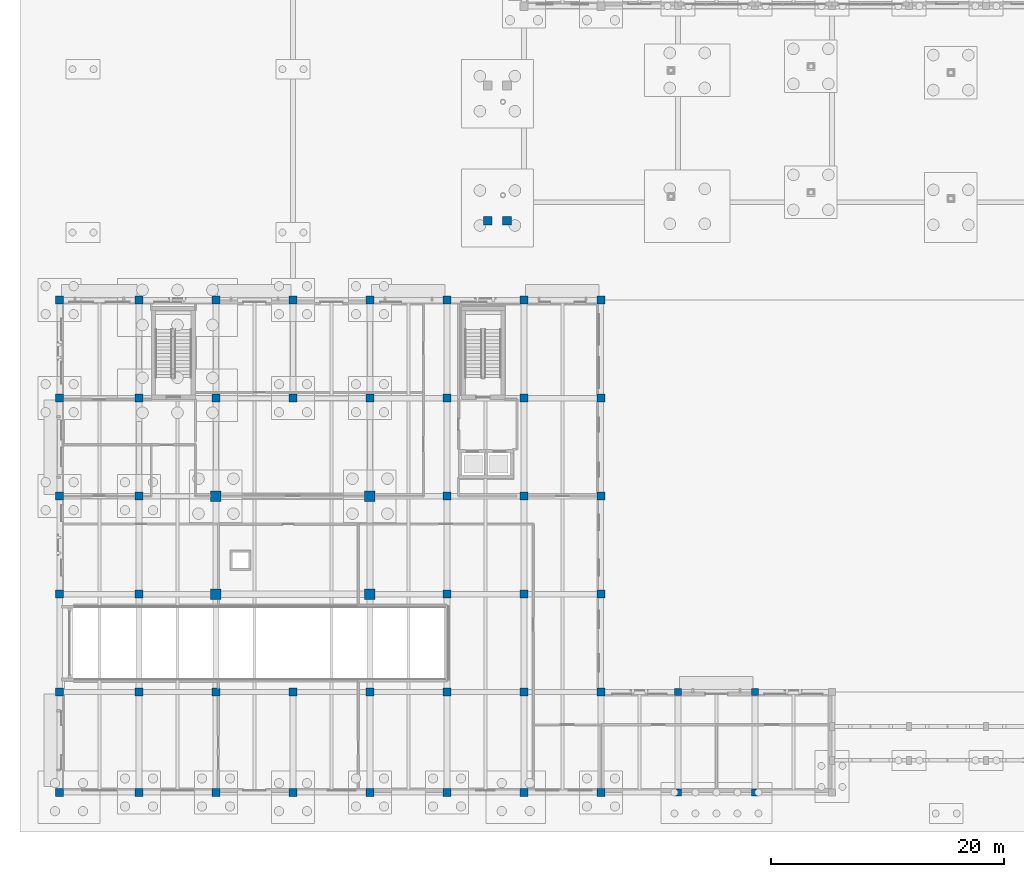
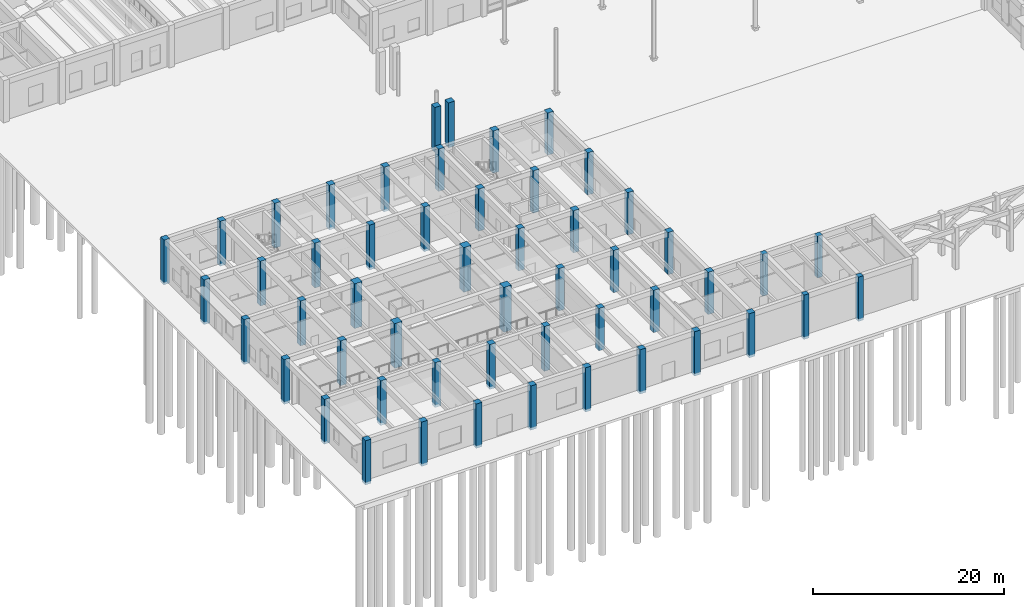
# One storey, part 10 of 82: 52 columns.
"""IFC4 building model written with IfcOpenShell, lengths in metres."""

from ifc_helpers import new_model, si_unit, direction, frame, origin, origin_2d, place, context, subcontext, project, spatial, rectangle, extrude, material, material_profile, profile_set, type_object, element, save


model = new_model("IFC4")

# Units and contexts
model_context = context("Model", 3, precision=1e-05, world=origin(), true_north=direction((0.0, 1.0)))
body_context = subcontext(model_context, "Body", "Model", "MODEL_VIEW")
ifc_project = project(units=[si_unit("LENGTHUNIT", "METRE"), si_unit("AREAUNIT", "SQUARE_METRE"), si_unit("VOLUMEUNIT", "CUBIC_METRE"), si_unit("PLANEANGLEUNIT", "RADIAN"), si_unit("MASSUNIT", "GRAM", prefix="KILO")], contexts=[model_context])

# Site, building, storey
site_placement = place(None, origin())
site = spatial("IfcSite", under=ifc_project, at=site_placement, CompositionType="ELEMENT")
building_placement = place(site_placement, origin())
building = spatial("IfcBuilding", under=site, at=building_placement, Name="Kolvaren Faculty of Natural Sciences", CompositionType="ELEMENT")
storey_placement = place(building_placement, origin())
storey = spatial("IfcBuildingStorey", under=building, at=storey_placement, Name="L00", CompositionType="ELEMENT", Elevation=0.0)

# Columns
ifc_material_1 = material(Name="Concrete C35/45", Category="concrete")
ifc_material_profile_1 = material_profile(ifc_material_1, rectangle(XDim=0.60009765625, YDim=0.60009765625, at=origin_2d()), Name="RC COL 600x600")
ifc_profile_set_1 = profile_set([ifc_material_profile_1], Name="Concrete C35/45")
column_type_1 = type_object("IfcColumnType", Name="FrameColumn_600x600", PredefinedType="COLUMN", material=ifc_profile_set_1)
column_1_placement = place(storey_placement, frame((53.0, 0.0, -0.320068359375), z_axis=(0.0, 0.0, 1.0), x_axis=(1.0, 0.0, 0.0)))
element("IfcColumn", 1, at=column_1_placement, inside=storey, type_object=column_type_1, Name="L00 column FC-60 at 9/A", PredefinedType="COLUMN", context=body_context, shape_type="SweptSolid", body=[
    extrude(rectangle(XDim=0.60009765625, YDim=0.60009765625, at=origin_2d()), origin(), (0.0, 0.0, 1.0), 5.66015625),
])
column_2_placement = place(storey_placement, frame((53.0, 8.60009765625, 0.0), z_axis=(0.0, 0.0, 1.0), x_axis=(1.0, 0.0, 0.0)))
element("IfcColumn", 2, at=column_2_placement, inside=storey, type_object=column_type_1, Name="L00 column FC-60 at 9/B", PredefinedType="COLUMN", context=body_context, shape_type="SweptSolid", body=[
    extrude(rectangle(XDim=0.60009765625, YDim=0.60009765625, at=origin_2d()), origin(), (0.0, 0.0, 1.0), 5.340087890625),
])
column_3_placement = place(storey_placement, frame((59.60009765625, 0.0, -0.320068359375), z_axis=(0.0, 0.0, 1.0), x_axis=(1.0, 0.0, 0.0)))
element("IfcColumn", 3, at=column_3_placement, inside=storey, type_object=column_type_1, Name="L00 column FC-60 at 10/A", PredefinedType="COLUMN", context=body_context, shape_type="SweptSolid", body=[
    extrude(rectangle(XDim=0.60009765625, YDim=0.60009765625, at=origin_2d()), origin(), (0.0, 0.0, 1.0), 5.66015625),
])
column_4_placement = place(storey_placement, frame((59.60009765625, 8.60009765625, 0.0), z_axis=(0.0, 0.0, 1.0), x_axis=(1.0, 0.0, 0.0)))
element("IfcColumn", 4, at=column_4_placement, inside=storey, type_object=column_type_1, Name="L00 column FC-60 at 10/B", PredefinedType="COLUMN", context=body_context, shape_type="SweptSolid", body=[
    extrude(rectangle(XDim=0.60009765625, YDim=0.60009765625, at=origin_2d()), origin(), (0.0, 0.0, 1.0), 5.340087890625),
])
ifc_material_2 = material(Name="Concrete C40/50", Category="concrete")
ifc_material_profile_2 = material_profile(ifc_material_2, rectangle(XDim=0.89990234375, YDim=0.89990234375, at=origin_2d()), Name="RC COL 900x900")
ifc_profile_set_2 = profile_set([ifc_material_profile_2], Name="Concrete C40/50")
column_type_2 = type_object("IfcColumnType", Name="MegaColumn_900x900", PredefinedType="COLUMN", material=ifc_profile_set_2)
for number, where, z_axis, x_axis, name in (
    (5, (13.39990234375, 17.0, -0.320068359375), (0.0, 0.0, 1.0), (1.0, 0.0, 0.0), "L00 column MC-1 at 3/C"),
    (6, (13.39990234375, 25.39990234375, -0.320068359375), (0.0, 0.0, 1.0), (1.0, 0.0, 0.0), "L00 column MC-1 at 3/D"),
    (7, (26.60009765625, 17.0, -0.320068359375), (0.0, 0.0, 1.0), (1.0, 0.0, 0.0), "L00 column MC-1 at 5/C"),
    (8, (26.60009765625, 25.39990234375, -0.320068359375), (0.0, 0.0, 1.0), (1.0, 0.0, 0.0), "L00 column MC-1 at 5/D"),
):
    element("IfcColumn", number, at=place(storey_placement, frame(where, z_axis=z_axis, x_axis=x_axis)), inside=storey, type_object=column_type_2, Name=name, PredefinedType="COLUMN", context=body_context, shape_type="SweptSolid", body=[
        extrude(rectangle(XDim=0.89990234375, YDim=0.89990234375, at=origin_2d()), origin(), (0.0, 0.0, 1.0), 5.719970703125),
    ])
ifc_material_profile_3 = material_profile(ifc_material_2, rectangle(XDim=0.75, YDim=0.75, at=origin_2d()), Name="RC COL 750x750")
ifc_profile_set_3 = profile_set([ifc_material_profile_3], Name="Concrete C40/50")
column_type_3 = type_object("IfcColumnType", Name="TowerColumn_750x750", PredefinedType="COLUMN", material=ifc_profile_set_3)
for number, where, z_axis, x_axis, name in (
    (9, (36.699951171875, 49.0, -0.320068359375), (0.0, 0.0, 1.0), (1.0, 0.0, 0.0), "West Covered-Street Monumental Gateway Pishtaq monumental pier L (L00)"),
    (10, (38.35009765625, 49.0, -0.320068359375), (0.0, 0.0, 1.0), (1.0, 0.0, 0.0), "West Covered-Street Monumental Gateway Pishtaq monumental pier LB (L00)"),
):
    element("IfcColumn", number, at=place(storey_placement, frame(where, z_axis=z_axis, x_axis=x_axis)), inside=storey, type_object=column_type_3, Name=name, PredefinedType="COLUMN", context=body_context, shape_type="SweptSolid", body=[
        extrude(rectangle(XDim=0.75, YDim=0.75, at=origin_2d()), origin(), (0.0, 0.0, 1.0), 5.719970703125),
    ])
ifc_material_profile_4 = material_profile(ifc_material_2, rectangle(XDim=0.699951171875, YDim=0.699951171875, at=origin_2d()), Name="RC COL 700x700")
ifc_profile_set_4 = profile_set([ifc_material_profile_4], Name="Concrete C40/50")
column_type_4 = type_object("IfcColumnType", Name="WingColumn_700x700", PredefinedType="COLUMN", material=ifc_profile_set_4)
column_5_placement = place(storey_placement, frame((0.0, 0.0, -0.320068359375), z_axis=(0.0, 0.0, 1.0), x_axis=(1.0, 0.0, 0.0)))
element("IfcColumn", 11, at=column_5_placement, inside=storey, type_object=column_type_4, Name="L00 column WC-70 at 1/A", PredefinedType="COLUMN", context=body_context, shape_type="SweptSolid", body=[
    extrude(rectangle(XDim=0.699951171875, YDim=0.699951171875, at=origin_2d()), origin(), (0.0, 0.0, 1.0), 5.66015625),
])
for number, where, z_axis, x_axis, name in (
    (12, (0.0, 8.60009765625, -0.320068359375), (0.0, 0.0, 1.0), (1.0, 0.0, 0.0), "L00 column WC-70 at 1/B"),
    (13, (0.0, 17.0, -0.320068359375), (0.0, 0.0, 1.0), (1.0, 0.0, 0.0), "L00 column WC-70 at 1/C"),
    (14, (0.0, 25.39990234375, -0.320068359375), (0.0, 0.0, 1.0), (1.0, 0.0, 0.0), "L00 column WC-70 at 1/D"),
    (15, (0.0, 33.800048828125, -0.320068359375), (0.0, 0.0, 1.0), (1.0, 0.0, 0.0), "L00 column WC-70 at 1/E"),
    (16, (0.0, 42.199951171875, -0.320068359375), (0.0, 0.0, 1.0), (1.0, 0.0, 0.0), "L00 column WC-70 at 1/F"),
):
    element("IfcColumn", number, at=place(storey_placement, frame(where, z_axis=z_axis, x_axis=x_axis)), inside=storey, type_object=column_type_4, Name=name, PredefinedType="COLUMN", context=body_context, shape_type="SweptSolid", body=[
        extrude(rectangle(XDim=0.699951171875, YDim=0.699951171875, at=origin_2d()), origin(), (0.0, 0.0, 1.0), 5.719970703125),
    ])
column_6_placement = place(storey_placement, frame((6.800048828125, 0.0, -0.320068359375), z_axis=(0.0, 0.0, 1.0), x_axis=(1.0, 0.0, 0.0)))
element("IfcColumn", 17, at=column_6_placement, inside=storey, type_object=column_type_4, Name="L00 column WC-70 at 2/A", PredefinedType="COLUMN", context=body_context, shape_type="SweptSolid", body=[
    extrude(rectangle(XDim=0.699951171875, YDim=0.699951171875, at=origin_2d()), origin(), (0.0, 0.0, 1.0), 5.66015625),
])
for number, where, z_axis, x_axis, name in (
    (18, (6.800048828125, 8.60009765625, -0.320068359375), (0.0, 0.0, 1.0), (1.0, 0.0, 0.0), "L00 column WC-70 at 2/B"),
    (19, (6.800048828125, 17.0, -0.320068359375), (0.0, 0.0, 1.0), (1.0, 0.0, 0.0), "L00 column WC-70 at 2/C"),
    (20, (6.800048828125, 25.39990234375, -0.320068359375), (0.0, 0.0, 1.0), (1.0, 0.0, 0.0), "L00 column WC-70 at 2/D"),
    (21, (6.800048828125, 33.800048828125, -0.320068359375), (0.0, 0.0, 1.0), (1.0, 0.0, 0.0), "L00 column WC-70 at 2/E"),
    (22, (6.800048828125, 42.199951171875, -0.320068359375), (0.0, 0.0, 1.0), (1.0, 0.0, 0.0), "L00 column WC-70 at 2/F"),
):
    element("IfcColumn", number, at=place(storey_placement, frame(where, z_axis=z_axis, x_axis=x_axis)), inside=storey, type_object=column_type_4, Name=name, PredefinedType="COLUMN", context=body_context, shape_type="SweptSolid", body=[
        extrude(rectangle(XDim=0.699951171875, YDim=0.699951171875, at=origin_2d()), origin(), (0.0, 0.0, 1.0), 5.719970703125),
    ])
column_7_placement = place(storey_placement, frame((13.39990234375, 0.0, -0.320068359375), z_axis=(0.0, 0.0, 1.0), x_axis=(1.0, 0.0, 0.0)))
element("IfcColumn", 23, at=column_7_placement, inside=storey, type_object=column_type_4, Name="L00 column WC-70 at 3/A", PredefinedType="COLUMN", context=body_context, shape_type="SweptSolid", body=[
    extrude(rectangle(XDim=0.699951171875, YDim=0.699951171875, at=origin_2d()), origin(), (0.0, 0.0, 1.0), 5.66015625),
])
for number, where, z_axis, x_axis, name in (
    (24, (13.39990234375, 8.60009765625, -0.320068359375), (0.0, 0.0, 1.0), (1.0, 0.0, 0.0), "L00 column WC-70 at 3/B"),
    (25, (13.39990234375, 33.800048828125, -0.320068359375), (0.0, 0.0, 1.0), (1.0, 0.0, 0.0), "L00 column WC-70 at 3/E"),
    (26, (13.39990234375, 42.199951171875, -0.320068359375), (0.0, 0.0, 1.0), (1.0, 0.0, 0.0), "L00 column WC-70 at 3/F"),
):
    element("IfcColumn", number, at=place(storey_placement, frame(where, z_axis=z_axis, x_axis=x_axis)), inside=storey, type_object=column_type_4, Name=name, PredefinedType="COLUMN", context=body_context, shape_type="SweptSolid", body=[
        extrude(rectangle(XDim=0.699951171875, YDim=0.699951171875, at=origin_2d()), origin(), (0.0, 0.0, 1.0), 5.719970703125),
    ])
column_8_placement = place(storey_placement, frame((20.0, 0.0, -0.320068359375), z_axis=(0.0, 0.0, 1.0), x_axis=(1.0, 0.0, 0.0)))
element("IfcColumn", 27, at=column_8_placement, inside=storey, type_object=column_type_4, Name="L00 column WC-70 at 4/A", PredefinedType="COLUMN", context=body_context, shape_type="SweptSolid", body=[
    extrude(rectangle(XDim=0.699951171875, YDim=0.699951171875, at=origin_2d()), origin(), (0.0, 0.0, 1.0), 5.66015625),
])
for number, where, z_axis, x_axis, name in (
    (28, (20.0, 8.60009765625, -0.320068359375), (0.0, 0.0, 1.0), (1.0, 0.0, 0.0), "L00 column WC-70 at 4/B"),
    (29, (20.0, 33.800048828125, -0.320068359375), (0.0, 0.0, 1.0), (1.0, 0.0, 0.0), "L00 column WC-70 at 4/E"),
    (30, (20.0, 42.199951171875, -0.320068359375), (0.0, 0.0, 1.0), (1.0, 0.0, 0.0), "L00 column WC-70 at 4/F"),
):
    element("IfcColumn", number, at=place(storey_placement, frame(where, z_axis=z_axis, x_axis=x_axis)), inside=storey, type_object=column_type_4, Name=name, PredefinedType="COLUMN", context=body_context, shape_type="SweptSolid", body=[
        extrude(rectangle(XDim=0.699951171875, YDim=0.699951171875, at=origin_2d()), origin(), (0.0, 0.0, 1.0), 5.719970703125),
    ])
column_9_placement = place(storey_placement, frame((26.60009765625, 0.0, -0.320068359375), z_axis=(0.0, 0.0, 1.0), x_axis=(1.0, 0.0, 0.0)))
element("IfcColumn", 31, at=column_9_placement, inside=storey, type_object=column_type_4, Name="L00 column WC-70 at 5/A", PredefinedType="COLUMN", context=body_context, shape_type="SweptSolid", body=[
    extrude(rectangle(XDim=0.699951171875, YDim=0.699951171875, at=origin_2d()), origin(), (0.0, 0.0, 1.0), 5.66015625),
])
for number, where, z_axis, x_axis, name in (
    (32, (26.60009765625, 8.60009765625, -0.320068359375), (0.0, 0.0, 1.0), (1.0, 0.0, 0.0), "L00 column WC-70 at 5/B"),
    (33, (26.60009765625, 33.800048828125, -0.320068359375), (0.0, 0.0, 1.0), (1.0, 0.0, 0.0), "L00 column WC-70 at 5/E"),
    (34, (26.60009765625, 42.199951171875, -0.320068359375), (0.0, 0.0, 1.0), (1.0, 0.0, 0.0), "L00 column WC-70 at 5/F"),
):
    element("IfcColumn", number, at=place(storey_placement, frame(where, z_axis=z_axis, x_axis=x_axis)), inside=storey, type_object=column_type_4, Name=name, PredefinedType="COLUMN", context=body_context, shape_type="SweptSolid", body=[
        extrude(rectangle(XDim=0.699951171875, YDim=0.699951171875, at=origin_2d()), origin(), (0.0, 0.0, 1.0), 5.719970703125),
    ])
column_10_placement = place(storey_placement, frame((33.199951171875, 0.0, -0.320068359375), z_axis=(0.0, 0.0, 1.0), x_axis=(1.0, 0.0, 0.0)))
element("IfcColumn", 35, at=column_10_placement, inside=storey, type_object=column_type_4, Name="L00 column WC-70 at 6/A", PredefinedType="COLUMN", context=body_context, shape_type="SweptSolid", body=[
    extrude(rectangle(XDim=0.699951171875, YDim=0.699951171875, at=origin_2d()), origin(), (0.0, 0.0, 1.0), 5.66015625),
])
for number, where, z_axis, x_axis, name in (
    (36, (33.199951171875, 8.60009765625, 0.0), (0.0, 0.0, 1.0), (1.0, 0.0, 0.0), "L00 column WC-70 at 6/B"),
    (37, (33.199951171875, 17.0, 0.0), (0.0, 0.0, 1.0), (1.0, 0.0, 0.0), "L00 column WC-70 at 6/C"),
    (38, (33.199951171875, 25.39990234375, 0.0), (0.0, 0.0, 1.0), (1.0, 0.0, 0.0), "L00 column WC-70 at 6/D"),
    (39, (33.199951171875, 33.800048828125, 0.0), (0.0, 0.0, 1.0), (1.0, 0.0, 0.0), "L00 column WC-70 at 6/E"),
    (40, (33.199951171875, 42.199951171875, 0.0), (0.0, 0.0, 1.0), (1.0, 0.0, 0.0), "L00 column WC-70 at 6/F"),
):
    element("IfcColumn", number, at=place(storey_placement, frame(where, z_axis=z_axis, x_axis=x_axis)), inside=storey, type_object=column_type_4, Name=name, PredefinedType="COLUMN", context=body_context, shape_type="SweptSolid", body=[
        extrude(rectangle(XDim=0.699951171875, YDim=0.699951171875, at=origin_2d()), origin(), (0.0, 0.0, 1.0), 5.39990234375),
    ])
column_11_placement = place(storey_placement, frame((39.800048828125, 0.0, -0.320068359375), z_axis=(0.0, 0.0, 1.0), x_axis=(1.0, 0.0, 0.0)))
element("IfcColumn", 41, at=column_11_placement, inside=storey, type_object=column_type_4, Name="L00 column WC-70 at 7/A", PredefinedType="COLUMN", context=body_context, shape_type="SweptSolid", body=[
    extrude(rectangle(XDim=0.699951171875, YDim=0.699951171875, at=origin_2d()), origin(), (0.0, 0.0, 1.0), 5.66015625),
])
for number, where, z_axis, x_axis, name in (
    (42, (39.800048828125, 8.60009765625, 0.0), (0.0, 0.0, 1.0), (1.0, 0.0, 0.0), "L00 column WC-70 at 7/B"),
    (43, (39.800048828125, 17.0, 0.0), (0.0, 0.0, 1.0), (1.0, 0.0, 0.0), "L00 column WC-70 at 7/C"),
    (44, (39.800048828125, 25.39990234375, 0.0), (0.0, 0.0, 1.0), (1.0, 0.0, 0.0), "L00 column WC-70 at 7/D"),
    (45, (39.800048828125, 33.800048828125, 0.0), (0.0, 0.0, 1.0), (1.0, 0.0, 0.0), "L00 column WC-70 at 7/E"),
    (46, (39.800048828125, 42.199951171875, 0.0), (0.0, 0.0, 1.0), (1.0, 0.0, 0.0), "L00 column WC-70 at 7/F"),
):
    element("IfcColumn", number, at=place(storey_placement, frame(where, z_axis=z_axis, x_axis=x_axis)), inside=storey, type_object=column_type_4, Name=name, PredefinedType="COLUMN", context=body_context, shape_type="SweptSolid", body=[
        extrude(rectangle(XDim=0.699951171875, YDim=0.699951171875, at=origin_2d()), origin(), (0.0, 0.0, 1.0), 5.39990234375),
    ])
column_12_placement = place(storey_placement, frame((46.39990234375, 0.0, -0.320068359375), z_axis=(0.0, 0.0, 1.0), x_axis=(1.0, 0.0, 0.0)))
element("IfcColumn", 47, at=column_12_placement, inside=storey, type_object=column_type_4, Name="L00 column WC-70 at 8/A", PredefinedType="COLUMN", context=body_context, shape_type="SweptSolid", body=[
    extrude(rectangle(XDim=0.699951171875, YDim=0.699951171875, at=origin_2d()), origin(), (0.0, 0.0, 1.0), 5.66015625),
])
for number, where, z_axis, x_axis, name in (
    (48, (46.39990234375, 8.60009765625, 0.0), (0.0, 0.0, 1.0), (1.0, 0.0, 0.0), "L00 column WC-70 at 8/B"),
    (49, (46.39990234375, 17.0, 0.0), (0.0, 0.0, 1.0), (1.0, 0.0, 0.0), "L00 column WC-70 at 8/C"),
    (50, (46.39990234375, 25.39990234375, 0.0), (0.0, 0.0, 1.0), (1.0, 0.0, 0.0), "L00 column WC-70 at 8/D"),
    (51, (46.39990234375, 33.800048828125, 0.0), (0.0, 0.0, 1.0), (1.0, 0.0, 0.0), "L00 column WC-70 at 8/E"),
    (52, (46.39990234375, 42.199951171875, 0.0), (0.0, 0.0, 1.0), (1.0, 0.0, 0.0), "L00 column WC-70 at 8/F"),
):
    element("IfcColumn", number, at=place(storey_placement, frame(where, z_axis=z_axis, x_axis=x_axis)), inside=storey, type_object=column_type_4, Name=name, PredefinedType="COLUMN", context=body_context, shape_type="SweptSolid", body=[
        extrude(rectangle(XDim=0.699951171875, YDim=0.699951171875, at=origin_2d()), origin(), (0.0, 0.0, 1.0), 5.39990234375),
    ])

save(model, "model.ifc")
